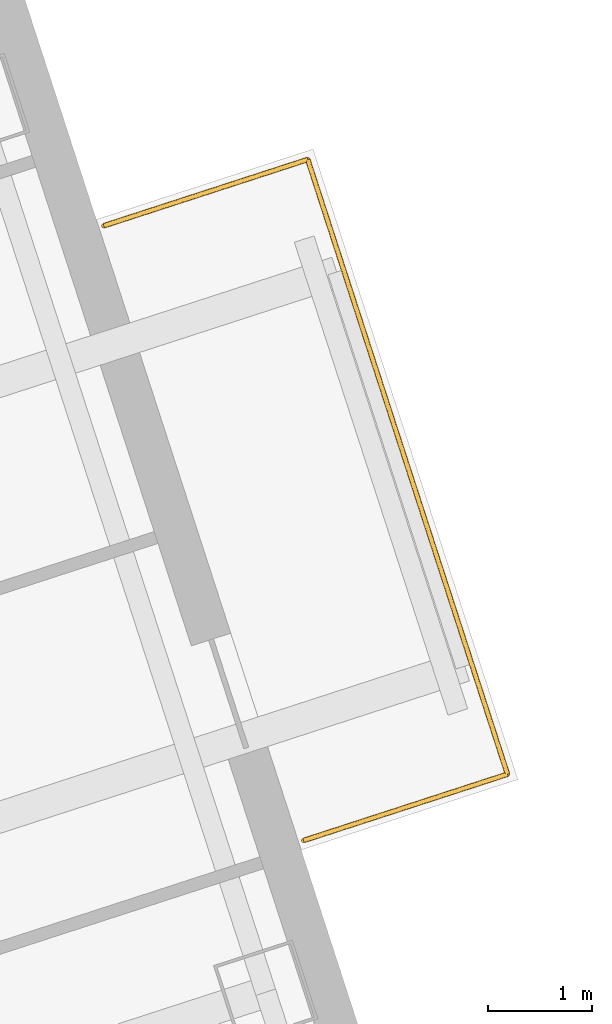
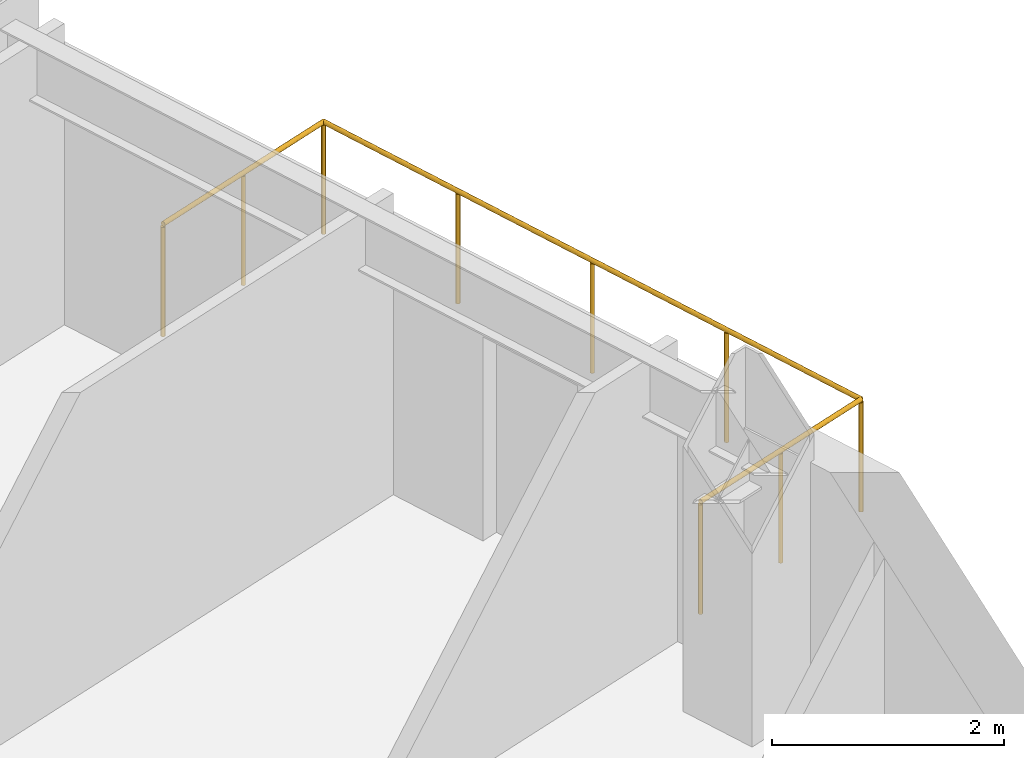
# One storey, part 17 of 17: 1 railing.
"""IFC4 building model written with IfcOpenShell, lengths in metres."""

from ifc_helpers import new_model, si_unit, direction, frame, origin, origin_2d, place, context, subcontext, project, spatial, circle, extrude, material, type_object, element, save


model = new_model("IFC4")

# Units and contexts
model_context = context("Model", 3, precision=1e-05, world=origin(), true_north=direction((0.0, 1.0)))
body_context = subcontext(model_context, "Body", "Model", "MODEL_VIEW")
ifc_project = project(units=[si_unit("LENGTHUNIT", "METRE"), si_unit("AREAUNIT", "SQUARE_METRE"), si_unit("VOLUMEUNIT", "CUBIC_METRE"), si_unit("PLANEANGLEUNIT", "RADIAN"), si_unit("MASSUNIT", "GRAM", prefix="KILO")], contexts=[model_context])

# Site, building, storey
site_placement = place(None, origin())
site = spatial("IfcSite", under=ifc_project, at=site_placement, CompositionType="ELEMENT")
building_placement = place(site_placement, origin())
building = spatial("IfcBuilding", under=site, at=building_placement, Name="Qiaolan Cultural Towers", CompositionType="ELEMENT")
storey_placement = place(building_placement, frame((0.0, 0.0, 156.39990234375)))
storey = spatial("IfcBuildingStorey", under=building, at=storey_placement, Name="L41", CompositionType="ELEMENT", Elevation=156.39990234375)

# Railing
ifc_material = material(Name="Laminated SentryGlas & Stainless Steel S31608 Balustrade", Category="steel")
railing_type = type_object("IfcRailingType", Name="GRD-TERR-1200", PredefinedType="BALUSTRADE", material=ifc_material)
railing_placement = place(storey_placement, frame((104.6787109375, 40.115234375, 0.0)))
element("IfcRailing", 1, at=railing_placement, inside=storey, type_object=railing_type, Name="L41 T2 Tree Balcony Guardrail E", PredefinedType="BALUSTRADE", context=body_context, shape_type="SweptSolid", body=[
    extrude(circle(Radius=0.02392578125, at=origin_2d()), frame((0.0, 0.0, 1.17578125), z_axis=(0.951061799618, 0.309000733507, 0.0), x_axis=(-0.309000733507, 0.951061799618, 0.0)), (0.0, 0.0, 1.0), 2.070068359375),
    extrude(circle(Radius=0.02392578125, at=origin_2d()), frame((1.96875, 0.6396484375, 1.17578125), z_axis=(-0.30901175762, 0.951058217804, 0.0), x_axis=(-0.951058217804, -0.30901175762, 0.0)), (0.0, 0.0, 1.0), 6.239990234375),
    extrude(circle(Radius=0.02392578125, at=origin_2d()), frame((0.04052734375, 6.57421875, 1.17578125), z_axis=(-0.951061799618, -0.309000733507, 0.0), x_axis=(0.309000733507, -0.951061799618, 0.0)), (0.0, 0.0, 1.0), 2.070068359375),
    extrude(circle(Radius=0.02099609375, at=origin_2d()), origin(), (0.0, 0.0, 1.0), 1.15185546875),
    extrude(circle(Radius=0.02099609375, at=origin_2d()), frame((0.984375, 0.31982421875, 0.0)), (0.0, 0.0, 1.0), 1.15185546875),
    extrude(circle(Radius=0.02099609375, at=origin_2d()), frame((1.96875, 0.6396484375, 0.0)), (0.0, 0.0, 1.0), 1.15185546875),
    extrude(circle(Radius=0.02099609375, at=origin_2d()), frame((1.48681640625, 2.123291015625, 0.0)), (0.0, 0.0, 1.0), 1.15185546875),
    extrude(circle(Radius=0.02099609375, at=origin_2d()), frame((1.004638671875, 3.60693359375, 0.0)), (0.0, 0.0, 1.0), 1.15185546875),
    extrude(circle(Radius=0.02099609375, at=origin_2d()), frame((0.5224609375, 5.090576171875, 0.0)), (0.0, 0.0, 1.0), 1.15185546875),
    extrude(circle(Radius=0.02099609375, at=origin_2d()), frame((0.04052734375, 6.57421875, 0.0)), (0.0, 0.0, 1.0), 1.15185546875),
    extrude(circle(Radius=0.02099609375, at=origin_2d()), frame((-0.94384765625, 6.25439453125, 0.0)), (0.0, 0.0, 1.0), 1.15185546875),
    extrude(circle(Radius=0.02099609375, at=origin_2d()), frame((-1.92822265625, 5.9345703125, 0.0)), (0.0, 0.0, 1.0), 1.15185546875),
])

save(model, "model.ifc")
